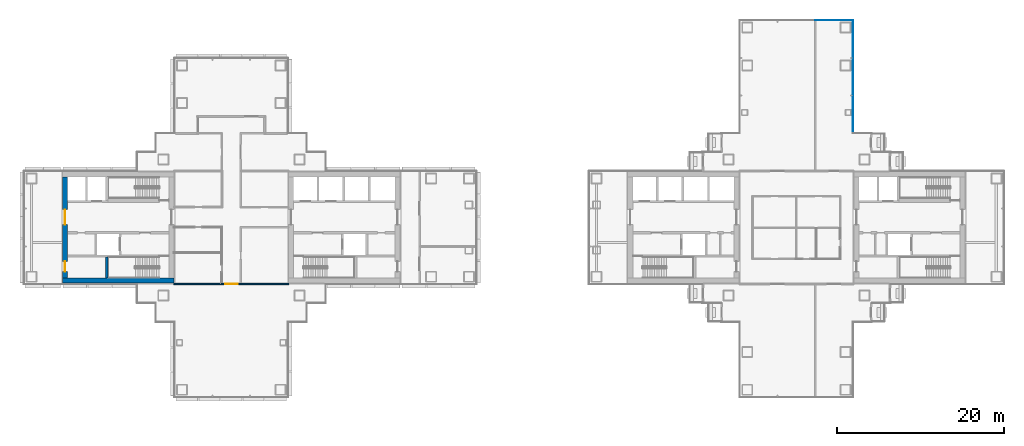
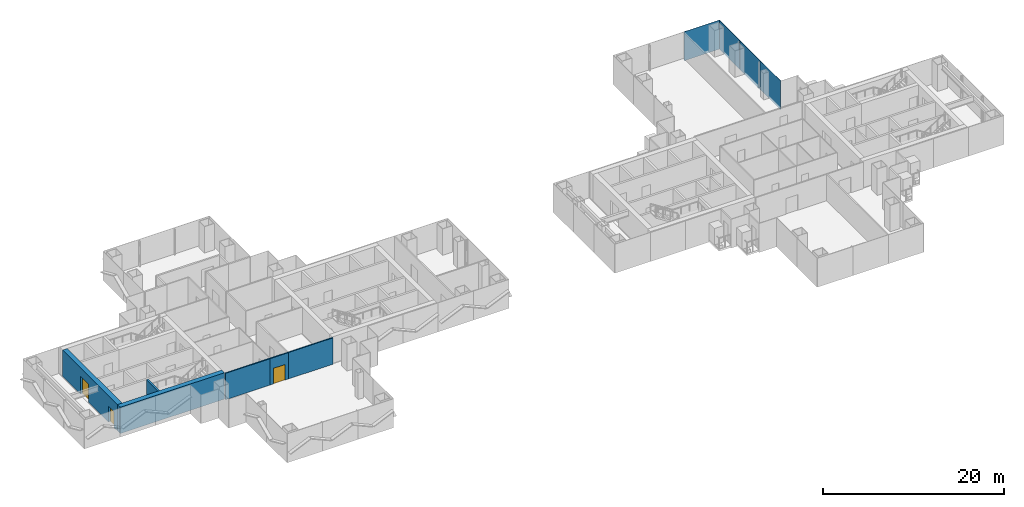
# One storey, part 10 of 19: 6 walls, 4 plates, 3 doors, 3 openings, 2 elements without a shape of their own.
"""IFC4 building model written with IfcOpenShell, lengths in metres."""

import ifcopenshell
import ifcopenshell.guid

model = None  # the IFC model being written
_history = None  # IfcOwnerHistory: only IFC2X3 demands one
_inside = {}  # id of a spatial element -> (the spatial element, [elements in it])
_under = {}  # id of a project, library or spatial element -> (it, [spatial elements below it])
_declared = {}  # id of a project -> (the project, [libraries it declares])
_typed = {}  # id of a type object -> (the type object, [elements of that type])
_made_of = {}  # id of a material, layer set ... -> (it, [elements and type objects made of it])


def new_model(schema):
    """Start an empty IFC model of exactly this schema.

    Asked for "IFC4X3", IfcOpenShell would pick the latest addendum, in which some entities
    have other attributes; the version numbers below select the first issue.
    IFC2X3 requires an IfcOwnerHistory on every rooted entity: one is made here for all.
    """
    global model, _history
    if schema == "IFC4X3":
        model = ifcopenshell.file(schema_version=(4, 3, 0, 0))
    else:
        model = ifcopenshell.file(schema=schema)
    _inside.clear()
    _under.clear()
    _declared.clear()
    _typed.clear()
    _made_of.clear()
    _history = None
    if model.schema == "IFC2X3":
        org = make("IfcOrganization", Name="unknown")
        user = make(
            "IfcPersonAndOrganization",
            ThePerson=make("IfcPerson", FamilyName="unknown"),
            TheOrganization=org,
        )
        app = make(
            "IfcApplication",
            ApplicationDeveloper=org,
            Version="unknown",
            ApplicationFullName="unknown",
            ApplicationIdentifier="unknown",
        )
        _history = make(
            "IfcOwnerHistory",
            OwningUser=user,
            OwningApplication=app,
            ChangeAction="ADDED",
            CreationDate=0,
        )
    return model


def make(cls, **values):
    """One entity of the class cls with the attributes given. An attribute that is None is left unset."""
    return model.create_entity(
        cls, **{name: value for name, value in values.items() if value is not None}
    )


def rooted(cls, **values):
    """An entity with a GlobalId (a new one), such as an element, a storey or a relation."""
    return make(cls, GlobalId=ifcopenshell.guid.new(), OwnerHistory=_history, **values)


def si_unit(unit_type, name, prefix=None):
    """IfcSIUnit, for example si_unit("LENGTHUNIT", "METRE", prefix="MILLI")."""
    return make("IfcSIUnit", UnitType=unit_type, Prefix=prefix, Name=name)


def assignment(units):
    """IfcUnitAssignment: the units of a project."""
    return None if units is None else make("IfcUnitAssignment", Units=units)


def point(xyz):
    """IfcCartesianPoint."""
    return None if xyz is None else make("IfcCartesianPoint", Coordinates=xyz)


def direction(xyz):
    """IfcDirection."""
    return None if xyz is None else make("IfcDirection", DirectionRatios=xyz)


def frame(location, z_axis=None, x_axis=None):
    """IfcAxis2Placement3D, a coordinate frame: its origin and axes. An axis left out is left unset."""
    return make(
        "IfcAxis2Placement3D",
        Location=point(location),
        Axis=direction(z_axis),
        RefDirection=direction(x_axis),
    )


def frame_2d(location, x_axis=None):
    """IfcAxis2Placement2D, a coordinate frame in the plane: its origin and x axis."""
    return make(
        "IfcAxis2Placement2D", Location=point(location), RefDirection=direction(x_axis)
    )


def origin():
    """The frame at (0, 0, 0) with its axes left unset."""
    return frame((0.0, 0.0, 0.0))


def origin_2d():
    """The frame at (0, 0) in the plane with its x axis left unset."""
    return frame_2d((0.0, 0.0))


def place(relative_to, where):
    """IfcLocalPlacement: puts the frame where relative to a parent placement (None: the world)."""
    return make(
        "IfcLocalPlacement", PlacementRelTo=relative_to, RelativePlacement=where
    )


def context(
    kind, dimensions, precision=None, world=None, true_north=None, identifier=None
):
    """IfcGeometricRepresentationContext, for example the 3D "Model" context."""
    return make(
        "IfcGeometricRepresentationContext",
        ContextIdentifier=identifier,
        ContextType=kind,
        CoordinateSpaceDimension=dimensions,
        Precision=precision,
        WorldCoordinateSystem=world,
        TrueNorth=true_north,
    )


def subcontext(parent, identifier, kind, view, scale=None):
    """IfcGeometricRepresentationSubContext, for example "Body" below "Model"."""
    return make(
        "IfcGeometricRepresentationSubContext",
        ContextIdentifier=identifier,
        ContextType=kind,
        ParentContext=parent,
        TargetScale=scale,
        TargetView=view,
    )


def project(units=None, contexts=None):
    """IfcProject with its units and contexts."""
    return rooted(
        "IfcProject",
        Name="project",
        RepresentationContexts=contexts,
        UnitsInContext=assignment(units),
    )


def spatial(cls, under=None, at=None, **own):
    """A site, building, storey or space (cls), placed at a placement, below another one or the project."""
    s = rooted(cls, ObjectPlacement=at, **own)
    if under is not None:
        _under.setdefault(under.id(), (under, []))[1].append(s)
    return s


def profile(cls, at=None, kind="AREA", **sizes):
    """A parametric profile (cls). Its sizes go by their IFC names, for example OverallWidth=200.0."""
    return make(cls, ProfileType=kind, Position=at, **sizes)


def rectangle(**sizes):
    """IfcRectangleProfileDef."""
    return profile("IfcRectangleProfileDef", **sizes)


def extrude(swept, where, along, depth):
    """IfcExtrudedAreaSolid: the profile swept, set in the frame where, extruded along a direction by depth."""
    return make(
        "IfcExtrudedAreaSolid",
        SweptArea=swept,
        Position=where,
        ExtrudedDirection=direction(along),
        Depth=depth,
    )


def shape(context_of_items, identifier, shape_type, items):
    """IfcShapeRepresentation: the items that make up one representation, for example the "Body"."""
    return make(
        "IfcShapeRepresentation",
        ContextOfItems=context_of_items,
        RepresentationIdentifier=identifier,
        RepresentationType=shape_type,
        Items=items,
    )


def material(Name=None, Category=None):
    """IfcMaterial."""
    return make("IfcMaterial", Name=Name, Category=Category)


def layer(
    of_material, thickness, ventilated=None, Name=None, Category=None, Priority=None
):
    """IfcMaterialLayer: one layer of a wall or slab, of a material (None: an air gap)."""
    return make(
        "IfcMaterialLayer",
        Material=of_material,
        LayerThickness=thickness,
        IsVentilated=ventilated,
        Name=Name,
        Category=Category,
        Priority=Priority,
    )


def layer_set(layers, Name=None):
    """IfcMaterialLayerSet."""
    return make("IfcMaterialLayerSet", MaterialLayers=layers, LayerSetName=Name)


def made_of(thing, what):
    """Note that an element or type object is made of a material, layer set ...; save() writes the relation."""
    if what is not None:
        _made_of.setdefault(what.id(), (what, []))[1].append(thing)
    return thing


def type_object(cls, material=None, **own):
    """A type object (cls), such as IfcWallType, which elements share."""
    return made_of(rooted(cls, **own), material)


def element(
    cls,
    number,
    at=None,
    inside=None,
    cuts=None,
    type_object=None,
    material=None,
    context=None,
    identifier="Body",
    shape_type=None,
    held_by="IfcProductDefinitionShape",
    body=None,
    shapes=None,
    **own,
):
    """One element of the class cls, such as IfcWall. Its Tag is "e" and its number.

    at: its placement. inside: the storey or other place that contains it. cuts: it is an
    opening in that element (IfcRelVoidsElement). A single representation is given by context,
    identifier, shape_type and body (its items); several are given by shapes. held_by: the class
    of the entity that holds the representations. save() writes the other relations.
    """
    e = rooted(cls, Tag="e%d" % number, ObjectPlacement=at, **own)
    if body is not None:
        shapes = [shape(context, identifier, shape_type, body)]
    if shapes is not None:
        e.Representation = make(held_by, Representations=shapes)
    if inside is not None:
        _inside.setdefault(inside.id(), (inside, []))[1].append(e)
    if cuts is not None:
        rooted(
            "IfcRelVoidsElement", RelatingBuildingElement=cuts, RelatedOpeningElement=e
        )
    if type_object is not None:
        _typed.setdefault(type_object.id(), (type_object, []))[1].append(e)
    return made_of(e, material)


def fill(opening, filler):
    """IfcRelFillsElement: the door or window that sits in an opening."""
    return rooted(
        "IfcRelFillsElement",
        RelatingOpeningElement=opening,
        RelatedBuildingElement=filler,
    )


def aggregate(whole, parts):
    """IfcRelAggregates: a whole, such as a stair, and the parts it consists of."""
    return rooted("IfcRelAggregates", RelatingObject=whole, RelatedObjects=parts)


def save(model, path):
    """Write the relations noted so far, then the file.

    IfcRelAggregates (storeys below a building ...), IfcRelContainedInSpatialStructure (elements
    in a storey), IfcRelDefinesByType, IfcRelAssociatesMaterial and IfcRelDeclares: one each for
    every whole, place, type object, material and project.
    """
    for whole, parts in _under.values():
        aggregate(whole, parts)
    for where, things in _inside.values():
        rooted(
            "IfcRelContainedInSpatialStructure",
            RelatedElements=things,
            RelatingStructure=where,
        )
    for kind, things in _typed.values():
        rooted("IfcRelDefinesByType", RelatedObjects=things, RelatingType=kind)
    for what, things in _made_of.values():
        rooted("IfcRelAssociatesMaterial", RelatedObjects=things, RelatingMaterial=what)
    for by, libraries in _declared.values():
        rooted("IfcRelDeclares", RelatingContext=by, RelatedDefinitions=libraries)
    model.write(path)


model = new_model("IFC4")

# Units and contexts
model_context = context("Model", 3, precision=1e-05, world=origin(), true_north=direction((0.0, 1.0)))
body_context = subcontext(model_context, "Body", "Model", "MODEL_VIEW")
ifc_project = project(units=[si_unit("LENGTHUNIT", "METRE"), si_unit("AREAUNIT", "SQUARE_METRE"), si_unit("VOLUMEUNIT", "CUBIC_METRE"), si_unit("PLANEANGLEUNIT", "RADIAN"), si_unit("MASSUNIT", "GRAM", prefix="KILO")], contexts=[model_context])

# Site, building, storey
site_placement = place(None, origin())
site = spatial("IfcSite", under=ifc_project, at=site_placement, CompositionType="ELEMENT")
building_placement = place(site_placement, origin())
building = spatial("IfcBuilding", under=site, at=building_placement, Name="Shamsa Quay Exchange Towers", CompositionType="ELEMENT")
storey_placement = place(building_placement, frame((0.0, 0.0, 89.699951171875)))
storey = spatial("IfcBuildingStorey", under=building, at=storey_placement, Name="L20", CompositionType="ELEMENT", Elevation=89.699951171875)

# Curtain wall, plates
ifc_material_1 = material(Name="Aluminium EN AW-6063 T6, black anodised", Category="aluminium")
ifc_layer_1 = layer(ifc_material_1, 0.280029296875)
ifc_layer_set_1 = layer_set([ifc_layer_1], Name="CW-1 UNITISED VISION GLASS")
curtain_wall_type = type_object("IfcCurtainWallType", Name="CW-1 UNITISED VISION GLASS", PredefinedType="NOTDEFINED", material=ifc_layer_set_1)
curtain_wall_1_placement = place(storey_placement, origin())
curtain_wall_1 = element("IfcCurtainWall", 1, at=curtain_wall_1_placement, inside=storey, type_object=curtain_wall_type, Name="CW1 T2-FLK-U+S L20", PredefinedType="NOTDEFINED")
ifc_material_2 = material(Name="Glass, laminated, dark tinted", Category="glass")
ifc_layer_2 = layer(ifc_material_2, 0.0400390625)
ifc_layer_set_2 = layer_set([ifc_layer_2], Name="CW-1 VISION GLASS 40")
plate_type = type_object("IfcPlateType", Name="CW-1 VISION GLASS 40", PredefinedType="CURTAIN_PANEL", material=ifc_layer_set_2)
plate_1_placement = place(storey_placement, frame((40.52001953125, 13.529052734375, -0.349853515625), z_axis=(0.0, 0.0, 1.0), x_axis=(0.0, 1.0, 0.0)))
plate_1 = element("IfcPlate", 2, at=plate_1_placement, type_object=plate_type, Name="CW1 glass panel", PredefinedType="CURTAIN_PANEL", context=body_context, shape_type="SweptSolid", body=[
    extrude(rectangle(XDim=4.482421875, YDim=0.0400390625, at=origin_2d()), origin(), (0.0, 0.0, 1.0), 3.89990234375),
])
plate_2_placement = place(storey_placement, frame((40.52001953125, 18.01904296875, -0.349853515625), z_axis=(0.0, 0.0, 1.0), x_axis=(0.0, 1.0, 0.0)))
plate_2 = element("IfcPlate", 3, at=plate_2_placement, type_object=plate_type, Name="CW1 glass panel", PredefinedType="CURTAIN_PANEL", context=body_context, shape_type="SweptSolid", body=[
    extrude(rectangle(XDim=4.477294921875, YDim=0.0400390625, at=origin_2d()), origin(), (0.0, 0.0, 1.0), 3.89990234375),
])
plate_3_placement = place(storey_placement, frame((40.52001953125, 22.5087890625, -0.349853515625), z_axis=(0.0, 0.0, 1.0), x_axis=(0.0, 1.0, 0.0)))
plate_3 = element("IfcPlate", 4, at=plate_3_placement, type_object=plate_type, Name="CW1 glass panel", PredefinedType="CURTAIN_PANEL", context=body_context, shape_type="SweptSolid", body=[
    extrude(rectangle(XDim=4.482421875, YDim=0.0400390625, at=origin_2d()), origin(), (0.0, 0.0, 1.0), 3.89990234375),
])
aggregate(curtain_wall_1, [plate_1, plate_2, plate_3])

# Curtain wall, plate
curtain_wall_2_placement = place(storey_placement, origin())
curtain_wall_2 = element("IfcCurtainWall", 5, at=curtain_wall_2_placement, inside=storey, type_object=curtain_wall_type, Name="CW1 T2-END-U+ L20", PredefinedType="NOTDEFINED")
plate_4_placement = place(storey_placement, frame((38.25244140625, 24.77001953125, -0.349853515625), z_axis=(0.0, 0.0, 1.0), x_axis=(-1.0, 0.0, 0.0)))
plate_4 = element("IfcPlate", 6, at=plate_4_placement, type_object=plate_type, Name="CW1 glass panel", PredefinedType="CURTAIN_PANEL", context=body_context, shape_type="SweptSolid", body=[
    extrude(rectangle(XDim=4.4951171875, YDim=0.0400390625, at=origin_2d()), origin(), (0.0, 0.0, 1.0), 3.89990234375),
])
aggregate(curtain_wall_2, [plate_4])

# Wall
ifc_material_3 = material(Name="Concrete C70/85", Category="concrete")
ifc_layer_3 = layer(ifc_material_3, 0.60009765625)
ifc_layer_set_3 = layer_set([ifc_layer_3], Name="CORE WALL 600 C70/85")
wall_type_1 = type_object("IfcWallType", Name="CORE WALL 600 C70/85", PredefinedType="SHEAR", material=ifc_layer_set_3)
wall_1_placement = place(storey_placement, frame((-40.60009765625, -6.35009765625, 0.0), z_axis=(0.0, 0.0, 1.0), x_axis=(-1.0, 0.0, 0.0)))
element("IfcWall", 7, at=wall_1_placement, inside=storey, type_object=wall_type_1, Name="Core wall T1B-R09-PS", PredefinedType="SHEAR", context=body_context, shape_type="SweptSolid", body=[
    extrude(rectangle(XDim=13.2998046875, YDim=0.60009765625, at=frame_2d((6.64990234375, 0.0))), origin(), (0.0, 0.0, 1.0), 3.550048828125),
])

# Wall, openings, doors
wall_2_placement = place(storey_placement, frame((-53.60009765625, -6.050048828125, 0.0), z_axis=(0.0, 0.0, 1.0), x_axis=(0.0, 1.0, 0.0)))
wall_2 = element("IfcWall", 8, at=wall_2_placement, inside=storey, type_object=wall_type_1, Name="Core wall T1B-R09-PB", PredefinedType="SHEAR", context=body_context, shape_type="SweptSolid", body=[
    extrude(rectangle(XDim=12.10009765625, YDim=0.60009765625, at=frame_2d((6.050048828125, 0.0))), origin(), (0.0, 0.0, 1.0), 3.550048828125),
])
opening_1_placement = place(wall_2_placement, frame((0.800048828125, 0.0, 0.0)))
opening_1 = element("IfcOpeningElement", 9, at=opening_1_placement, cuts=wall_2, Name="Opening T1B-R09-RD02", PredefinedType="OPENING", context=body_context, shape_type="SweptSolid", body=[
    extrude(rectangle(XDim=1.199951171875, YDim=2.10009765625, at=frame_2d((0.60009765625, 1.050048828125))), frame((0.0, 0.31005859375, 0.0), z_axis=(0.0, -1.0, 0.0), x_axis=(1.0, 0.0, 0.0)), (0.0, 0.0, 1.0), 0.6201171875),
])
opening_2_placement = place(wall_2_placement, frame((6.39990234375, 0.0, 0.0)))
opening_2 = element("IfcOpeningElement", 10, at=opening_2_placement, cuts=wall_2, Name="Opening T1B-R09-LBD03", PredefinedType="OPENING", context=body_context, shape_type="SweptSolid", body=[
    extrude(rectangle(XDim=1.800048828125, YDim=2.39990234375, at=frame_2d((0.89990234375, 1.199951171875))), frame((0.0, 0.31005859375, 0.0), z_axis=(0.0, -1.0, 0.0), x_axis=(1.0, 0.0, 0.0)), (0.0, 0.0, 1.0), 0.6201171875),
])
ifc_material_4 = material(Name="Steel, fire rated", Category="steel")
door_type_1 = type_object("IfcDoorType", Name="LIFT LOBBY DOOR PAIR 1800", OperationType="DOUBLE_DOOR_SINGLE_SWING", PredefinedType="DOOR", material=ifc_material_4)
door_1_placement = place(opening_2_placement, origin())
door_1 = element("IfcDoor", 11, at=door_1_placement, inside=storey, type_object=door_type_1, Name="T1B-R09-LBD03", OperationType="DOUBLE_DOOR_SINGLE_SWING", OverallHeight=2.39990234375, OverallWidth=1.800048828125, PredefinedType="DOOR", context=body_context, shape_type="SweptSolid", body=[
    extrude(rectangle(XDim=1.800048828125, YDim=2.39990234375, at=frame_2d((0.89990234375, 1.199951171875))), frame((0.0, 0.02490234375, 0.0), z_axis=(0.0, -1.0, 0.0), x_axis=(1.0, 0.0, 0.0)), (0.0, 0.0, 1.0), 0.050048828125),
])
fill(opening_2, door_1)
door_type_2 = type_object("IfcDoorType", Name="RISER ACCESS DOOR 1200", OperationType="SINGLE_SWING_LEFT", PredefinedType="DOOR", material=ifc_material_4)
door_2_placement = place(opening_1_placement, origin())
door_2 = element("IfcDoor", 12, at=door_2_placement, inside=storey, type_object=door_type_2, Name="T1B-R09-RD02", OperationType="SINGLE_SWING_LEFT", OverallHeight=2.10009765625, OverallWidth=1.199951171875, PredefinedType="DOOR", context=body_context, shape_type="SweptSolid", body=[
    extrude(rectangle(XDim=1.199951171875, YDim=2.10009765625, at=frame_2d((0.60009765625, 1.050048828125))), frame((0.0, 0.02490234375, 0.0), z_axis=(0.0, -1.0, 0.0), x_axis=(1.0, 0.0, 0.0)), (0.0, 0.0, 1.0), 0.050048828125),
])
fill(opening_1, door_2)

# Wall, opening, door
ifc_material_5 = material(Name="Gypsum board partition on metal studs")
ifc_layer_4 = layer(ifc_material_5, 0.14990234375)
ifc_layer_set_4 = layer_set([ifc_layer_4], Name="Partition 150 mm EI 60")
wall_type_2 = type_object("IfcWallType", Name="Partition 150 mm EI 60", PredefinedType="PARTITIONING", material=ifc_layer_set_4)
wall_3_placement = place(storey_placement, frame((-32.550048828125, -6.75, 0.0), z_axis=(0.0, 0.0, 1.0), x_axis=(-1.0, 0.0, 0.0)))
wall_3 = element("IfcWall", 13, at=wall_3_placement, inside=storey, type_object=wall_type_2, Name="Partition T1-R09-W16", PredefinedType="PARTITIONING", context=body_context, shape_type="SweptSolid", body=[
    extrude(rectangle(XDim=2.375, YDim=0.14990234375, at=frame_2d((1.1875, 0.0))), origin(), (0.0, 0.0, 1.0), 3.550048828125),
])
opening_3_placement = place(wall_3_placement, frame((0.449951171875, 0.0, 0.0)))
opening_3 = element("IfcOpeningElement", 14, at=opening_3_placement, cuts=wall_3, Name="Opening T1-R09-D06", PredefinedType="OPENING", context=body_context, shape_type="SweptSolid", body=[
    extrude(rectangle(XDim=1.5, YDim=2.10009765625, at=frame_2d((0.75, 1.050048828125))), frame((0.0, 0.0849609375, 0.0), z_axis=(0.0, -1.0, 0.0), x_axis=(1.0, 0.0, 0.0)), (0.0, 0.0, 1.0), 0.169921875),
])
ifc_material_6 = material(Name="Timber door leaf in a metal frame", Category="wood")
door_type_3 = type_object("IfcDoorType", Name="Door 1500x2100 FD30S pair", OperationType="NOTDEFINED", PredefinedType="DOOR", material=ifc_material_6)
door_3_placement = place(opening_3_placement, origin())
door_3 = element("IfcDoor", 15, at=door_3_placement, inside=storey, type_object=door_type_3, Name="Door T1-R09-D06", OperationType="DOUBLE_DOOR_SINGLE_SWING", OverallHeight=2.10009765625, OverallWidth=1.5, PredefinedType="DOOR", context=body_context, shape_type="SweptSolid", body=[
    extrude(rectangle(XDim=1.5, YDim=2.10009765625, at=frame_2d((0.75, 1.050048828125))), frame((0.0, 0.02490234375, 0.0), z_axis=(0.0, -1.0, 0.0), x_axis=(1.0, 0.0, 0.0)), (0.0, 0.0, 1.0), 0.050048828125),
])
fill(opening_3, door_3)

# Walls
wall_4_placement = place(storey_placement, frame((-40.60009765625, -6.75, 0.0)))
element("IfcWall", 16, at=wall_4_placement, inside=storey, type_object=wall_type_2, Name="Partition T1-R09-W20", PredefinedType="PARTITIONING", context=body_context, shape_type="SweptSolid", body=[
    extrude(rectangle(XDim=5.775146484375, YDim=0.14990234375, at=frame_2d((2.8876953125, 0.0))), origin(), (0.0, 0.0, 1.0), 3.550048828125),
])
wall_5_placement = place(storey_placement, frame((-32.699951171875, -6.75, 0.0)))
element("IfcWall", 17, at=wall_5_placement, inside=storey, type_object=wall_type_2, Name="Partition T1-R09-W21", PredefinedType="PARTITIONING", context=body_context, shape_type="SweptSolid", body=[
    extrude(rectangle(XDim=5.800048828125, YDim=0.14990234375, at=frame_2d((2.89990234375, 0.0))), origin(), (0.0, 0.0, 1.0), 3.550048828125),
])
ifc_material_7 = material(Name="Concrete C50/60", Category="concrete")
ifc_layer_5 = layer(ifc_material_7, 0.25)
ifc_layer_set_5 = layer_set([ifc_layer_5], Name="SHAFT WALL 250 C50/60")
wall_type_3 = type_object("IfcWallType", Name="SHAFT WALL 250 C50/60", PredefinedType="SHEAR", material=ifc_layer_set_5)
wall_6_placement = place(storey_placement, frame((-48.625, -6.050048828125, 0.0), z_axis=(0.0, 0.0, 1.0), x_axis=(0.0, 1.0, 0.0)))
element("IfcWall", 18, at=wall_6_placement, inside=storey, type_object=wall_type_3, Name="Shaft wall T1B-R09-STF", PredefinedType="SHEAR", context=body_context, shape_type="SweptSolid", body=[
    extrude(rectangle(XDim=2.550048828125, YDim=0.25, at=frame_2d((1.27490234375, 0.0))), origin(), (0.0, 0.0, 1.0), 3.550048828125),
])

save(model, "model.ifc")
